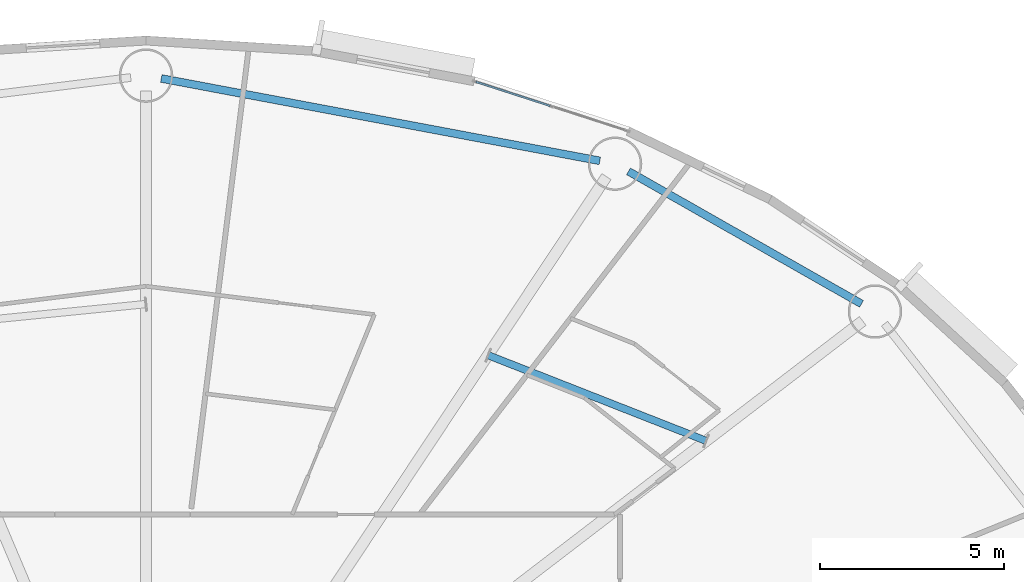
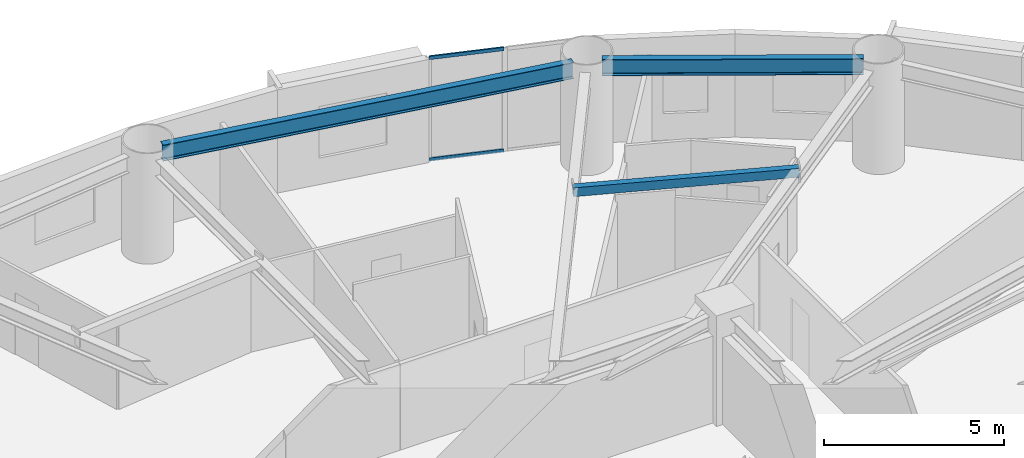
# One storey, part 4 of 21: 3 beams, 2 members, 1 element without a shape of its own.
"""IFC4 building model written with IfcOpenShell, lengths in metres."""

from ifc_helpers import new_model, si_unit, direction, frame, origin, origin_2d, place, context, subcontext, project, spatial, hollow_rectangle, i_section, extrude, source, transform, mapped, material, layer, layer_set, material_profile, profile_set, type_object, element, aggregate, save


model = new_model("IFC4")

# Units and contexts
model_context = context("Model", 3, precision=1e-05, world=origin(), true_north=direction((0.0, 1.0)))
body_context = subcontext(model_context, "Body", "Model", "MODEL_VIEW")
ifc_project = project(units=[si_unit("LENGTHUNIT", "METRE"), si_unit("AREAUNIT", "SQUARE_METRE"), si_unit("VOLUMEUNIT", "CUBIC_METRE"), si_unit("PLANEANGLEUNIT", "RADIAN"), si_unit("MASSUNIT", "GRAM", prefix="KILO")], contexts=[model_context])

# Site, building, storey
site_placement = place(None, origin())
site = spatial("IfcSite", under=ifc_project, at=site_placement, CompositionType="ELEMENT")
building_placement = place(site_placement, origin())
building = spatial("IfcBuilding", under=site, at=building_placement, Name="Linh Dai School and Residence Tower", CompositionType="ELEMENT")
storey_placement = place(building_placement, frame((0.0, 0.0, 97.199951171875)))
storey = spatial("IfcBuildingStorey", under=building, at=storey_placement, Name="L22", CompositionType="ELEMENT", Elevation=97.199951171875)

# Beams
ifc_material_1 = material(Name="Structural Steel S355JR", Category="steel")
ifc_material_profile_1 = material_profile(ifc_material_1, hollow_rectangle(XDim=0.199951171875, YDim=0.300048828125, WallThickness=0.010009765625, at=origin_2d()), Name="RHS 300x200x10")
ifc_profile_set_1 = profile_set([ifc_material_profile_1], Name="Structural Steel S355JR")
beam_type_1 = type_object("IfcBeamType", Name="BM-BX3", PredefinedType="BEAM", material=ifc_profile_set_1)
beam_1_placement = place(storey_placement, frame((51.189453125, 38.64794921875, 3.35009765625), z_axis=(-0.930742146732, 0.365676163151, 0.0), x_axis=(-0.365676163151, -0.930742146732, 0.0)))
element("IfcBeam", 1, at=beam_1_placement, inside=storey, type_object=beam_type_1, Name="L22 Secondary Circumferential Floor Beam 02", PredefinedType="BEAM", context=body_context, shape_type="SweptSolid", body=[
    extrude(hollow_rectangle(XDim=0.199951171875, YDim=0.300048828125, WallThickness=0.010009765625, at=origin_2d()), origin(), (0.0, 0.0, 1.0), 6.349853515625),
])
ifc_material_profile_2 = material_profile(ifc_material_1, i_section(OverallWidth=0.2099609375, OverallDepth=0.550048828125, WebThickness=0.010986328125, FlangeThickness=0.01708984375, FilletRadius=0.02392578125, at=origin_2d()), Name="IPE 550")
ifc_profile_set_2 = profile_set([ifc_material_profile_2], Name="Structural Steel S355JR")
beam_type_2 = type_object("IfcBeamType", Name="BM-RB55", PredefinedType="BEAM", material=ifc_profile_set_2)
beam_2_placement = place(storey_placement, frame((55.407470703125, 42.363037109375, 3.22509765625), z_axis=(-0.86927031475, 0.494337050902, 0.0), x_axis=(-0.494337050902, -0.86927031475, 0.0)))
element("IfcBeam", 2, at=beam_2_placement, inside=storey, type_object=beam_type_2, Name="L22 Perimeter Elliptical Ring Beam 03", PredefinedType="BEAM", context=body_context, shape_type="SweptSolid", body=[
    extrude(i_section(OverallWidth=0.2099609375, OverallDepth=0.550048828125, WebThickness=0.010986328125, FlangeThickness=0.01708984375, FilletRadius=0.02392578125, at=origin_2d()), origin(), (0.0, 0.0, 1.0), 7.270751953125),
])
beam_3_placement = place(storey_placement, frame((48.30908203125, 46.24267578125, 3.22509765625), z_axis=(-0.982807507457, 0.184633158685, 0.0), x_axis=(-0.184633158685, -0.982807507457, 0.0)))
element("IfcBeam", 3, at=beam_3_placement, inside=storey, type_object=beam_type_2, Name="L22 Perimeter Elliptical Ring Beam 04", PredefinedType="BEAM", context=body_context, shape_type="SweptSolid", body=[
    extrude(i_section(OverallWidth=0.2099609375, OverallDepth=0.550048828125, WebThickness=0.010986328125, FlangeThickness=0.01708984375, FilletRadius=0.02392578125, at=origin_2d()), origin(), (0.0, 0.0, 1.0), 12.104248046875),
])

# Curtain wall, members
ifc_material_2 = material(Name="Aluminium Anodised Curtain Wall", Category="aluminium")
ifc_layer = layer(ifc_material_2, 0.14990234375)
ifc_layer_set = layer_set([ifc_layer], Name="Aluminium Anodised Curtain Wall")
curtain_wall_type = type_object("IfcCurtainWallType", Name="CW-SYS-4", PredefinedType="USERDEFINED", material=ifc_layer_set)
curtain_wall_placement = place(storey_placement, origin())
curtain_wall = element("IfcCurtainWall", 4, at=curtain_wall_placement, inside=storey, type_object=curtain_wall_type, Name="L22 CW4 Curtain Wall 08", ObjectType="RIBBON CURTAIN WALL", PredefinedType="USERDEFINED")
ifc_material_3 = material(Name="Aluminium Alloy 6063-T6", Category="aluminium")
ifc_material_profile_3 = material_profile(ifc_material_3, hollow_rectangle(XDim=0.052001953125, YDim=0.114990234375, WallThickness=0.00390625, at=origin_2d()), Name="RHS 115x52x4")
ifc_profile_set_3 = profile_set([ifc_material_profile_3], Name="Aluminium Alloy 6063-T6")
member_type = type_object("IfcMemberType", Name="CW-SYS-4-TRN", PredefinedType="USERDEFINED", material=ifc_profile_set_3)
shared_shape = source(origin(), body_context, "Body", "SweptSolid", [
    extrude(hollow_rectangle(XDim=0.052001953125, YDim=0.114990234375, WallThickness=0.00390625, at=origin_2d()), origin(), (0.0, 0.0, 1.0), 2.1162109375),
])
member_1_placement = place(storey_placement, frame((44.94921875, 48.38525390625, 0.026123046875), z_axis=(0.95122464899, -0.308499055355, 0.0), x_axis=(0.308499055355, 0.95122464899, 0.0)))
member_1 = element("IfcMember", 5, at=member_1_placement, type_object=member_type, Name="CW4 transom 1.1", ObjectType="TRANSOM", PredefinedType="USERDEFINED", context=body_context, shape_type="MappedRepresentation", body=[
    mapped(shared_shape, transform((0.0, 0.0, 0.0), x_axis=(1.0, 0.0, 0.0), y_axis=(0.0, 1.0, 0.0), z_axis=(0.0, 0.0, 1.0), scale=1.0)),
])
member_2_placement = place(storey_placement, frame((44.94921875, 48.38525390625, 3.47412109375), z_axis=(0.95122464899, -0.308499055355, 0.0), x_axis=(0.308499055355, 0.95122464899, 0.0)))
member_2 = element("IfcMember", 6, at=member_2_placement, type_object=member_type, Name="CW4 transom 1.2", ObjectType="TRANSOM", PredefinedType="USERDEFINED", context=body_context, shape_type="MappedRepresentation", body=[
    mapped(shared_shape, transform((0.0, 0.0, 0.0), x_axis=(1.0, 0.0, 0.0), y_axis=(0.0, 1.0, 0.0), z_axis=(0.0, 0.0, 1.0), scale=1.0)),
])
aggregate(curtain_wall, [member_1, member_2])

save(model, "model.ifc")
